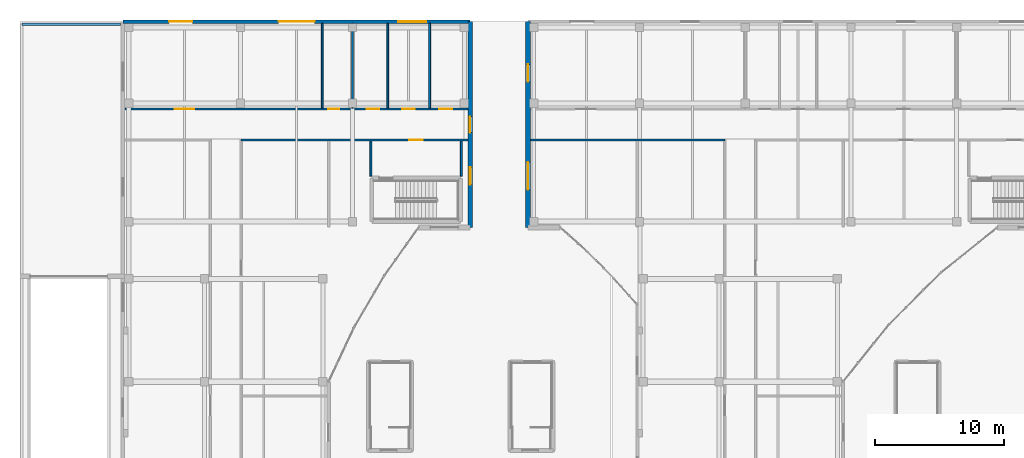
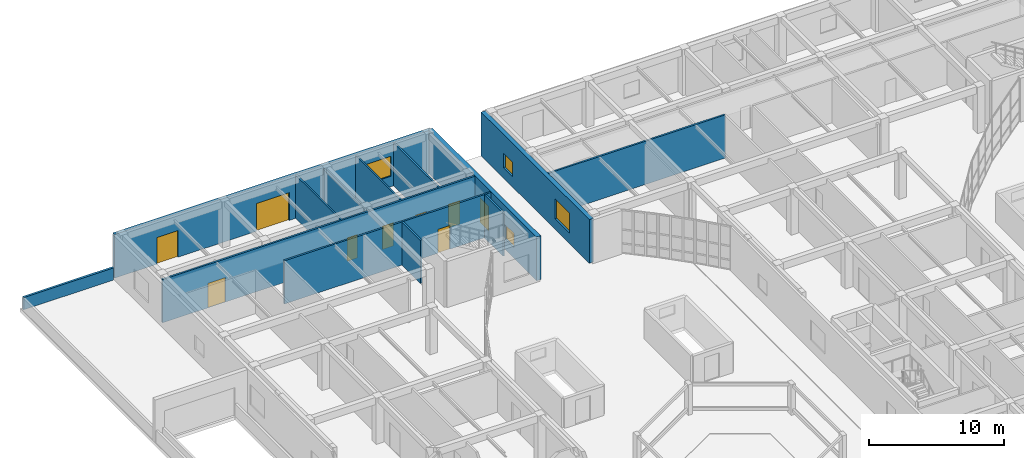
# One storey, part 82 of 114: 13 walls, 9 doors, 4 windows, 13 openings.
"""IFC4 building model written with IfcOpenShell, lengths in metres."""

from ifc_helpers import new_model, si_unit, direction, frame, frame_2d, origin, place, context, subcontext, project, spatial, rectangle, extrude, material, layer, layer_set, type_object, element, fill, save


model = new_model("IFC4")

# Units and contexts
model_context = context("Model", 3, precision=1e-05, world=origin(), true_north=direction((0.0, 1.0)))
body_context = subcontext(model_context, "Body", "Model", "MODEL_VIEW")
ifc_project = project(units=[si_unit("LENGTHUNIT", "METRE"), si_unit("AREAUNIT", "SQUARE_METRE"), si_unit("VOLUMEUNIT", "CUBIC_METRE"), si_unit("PLANEANGLEUNIT", "RADIAN"), si_unit("MASSUNIT", "GRAM", prefix="KILO")], contexts=[model_context])

# Site, building, storey
site_placement = place(None, origin())
site = spatial("IfcSite", under=ifc_project, at=site_placement, CompositionType="ELEMENT")
building_placement = place(site_placement, origin())
building = spatial("IfcBuilding", under=site, at=building_placement, Name="Keldmere Railside Commons", CompositionType="ELEMENT")
storey_placement = place(building_placement, origin())
storey = spatial("IfcBuildingStorey", under=building, at=storey_placement, Name="L00", CompositionType="ELEMENT", Elevation=0.0)

# Wall, opening, door
ifc_material_1 = material(Name="Acoustic Gypsum Board Partition", Category="gypsum")
ifc_layer_1 = layer(ifc_material_1, 0.159912109375, Name="Corridor Fire Partition 160")
ifc_layer_set_1 = layer_set([ifc_layer_1], Name="Acoustic Gypsum Board Partition")
wall_type_1 = type_object("IfcWallType", Name="Corridor Fire Partition 160", PredefinedType="PARTITIONING", material=ifc_layer_set_1)
wall_1_placement = place(storey_placement, frame((17.199951171875, 106.800048828125, 0.0), z_axis=(0.0, 0.0, 1.0), x_axis=(1.0, 0.0, 0.0)))
wall_1 = element("IfcWall", 1, at=wall_1_placement, inside=storey, type_object=wall_type_1, Name="IW-2 IW-L00-0186", PredefinedType="PARTITIONING", context=body_context, shape_type="SweptSolid", body=[
    extrude(rectangle(XDim=17.6201171875, YDim=0.159912109375, at=frame_2d((8.81005859375, 0.0))), origin(), (0.0, 0.0, 1.0), 3.89501953125),
])
opening_1_placement = place(wall_1_placement, frame((13.074951171875, 0.0, 0.0)))
opening_1 = element("IfcOpeningElement", 2, at=opening_1_placement, cuts=wall_1, Name="Opening FD-1", PredefinedType="OPENING", context=body_context, shape_type="SweptSolid", body=[
    extrude(rectangle(XDim=1.050048828125, YDim=2.14990234375, at=frame_2d((0.52490234375, 1.074951171875))), frame((0.0, 0.08984375, 0.0), z_axis=(0.0, -1.0, 0.0), x_axis=(1.0, 0.0, 0.0)), (0.0, 0.0, 1.0), 0.179931640625),
])
ifc_material_2 = material(Name="Steel F-24 (S235)", Category="steel")
door_type_1 = type_object("IfcDoorType", Name="Stair Core Fire Door 1050x2150", OperationType="NOTDEFINED", PredefinedType="DOOR", material=ifc_material_2)
door_1_placement = place(opening_1_placement, origin())
door_1 = element("IfcDoor", 3, at=door_1_placement, inside=storey, type_object=door_type_1, Name="FD-1 IDR-L00-0098", OperationType="SINGLE_SWING_RIGHT", OverallHeight=2.14990234375, OverallWidth=1.050048828125, PredefinedType="DOOR", context=body_context, shape_type="SweptSolid", body=[
    extrude(rectangle(XDim=1.050048828125, YDim=2.14990234375, at=frame_2d((0.52490234375, 1.074951171875))), frame((0.0, 0.02490234375, 0.0), z_axis=(0.0, -1.0, 0.0), x_axis=(1.0, 0.0, 0.0)), (0.0, 0.0, 1.0), 0.050048828125),
])
fill(opening_1, door_1)

# Wall, openings, doors
wall_2_placement = place(storey_placement, frame((8.179931640625, 109.199951171875, 0.0), z_axis=(0.0, 0.0, 1.0), x_axis=(1.0, 0.0, 0.0)))
wall_2 = element("IfcWall", 4, at=wall_2_placement, inside=storey, type_object=wall_type_1, Name="IW-2 IW-L00-0187", PredefinedType="PARTITIONING", context=body_context, shape_type="SweptSolid", body=[
    extrude(rectangle(XDim=26.64013671875, YDim=0.159912109375, at=frame_2d((13.320068359375, 0.0))), origin(), (0.0, 0.0, 1.0), 3.89501953125),
])
opening_2_placement = place(wall_2_placement, frame((3.8701171875, 0.0, 0.0)))
opening_2 = element("IfcOpeningElement", 5, at=opening_2_placement, cuts=wall_2, Name="Opening ID-07", PredefinedType="OPENING", context=body_context, shape_type="SweptSolid", body=[
    extrude(rectangle(XDim=1.5, YDim=2.199951171875, at=frame_2d((0.75, 1.10009765625))), frame((0.0, 0.08984375, 0.0), z_axis=(0.0, -1.0, 0.0), x_axis=(1.0, 0.0, 0.0)), (0.0, 0.0, 1.0), 0.179931640625),
])
opening_3_placement = place(wall_2_placement, frame((15.7900390625, 0.0, 0.0)))
opening_3 = element("IfcOpeningElement", 6, at=opening_3_placement, cuts=wall_2, Name="Opening ID-04", PredefinedType="OPENING", context=body_context, shape_type="SweptSolid", body=[
    extrude(rectangle(XDim=0.860107421875, YDim=2.10009765625, at=frame_2d((0.43017578125, 1.050048828125))), frame((0.0, 0.08984375, 0.0), z_axis=(0.0, -1.0, 0.0), x_axis=(1.0, 0.0, 0.0)), (0.0, 0.0, 1.0), 0.179931640625),
])
opening_4_placement = place(wall_2_placement, frame((18.800048828125, 0.0, 0.0)))
opening_4 = element("IfcOpeningElement", 7, at=opening_4_placement, cuts=wall_2, Name="Opening ID-05", PredefinedType="OPENING", context=body_context, shape_type="SweptSolid", body=[
    extrude(rectangle(XDim=0.93994140625, YDim=2.10009765625, at=frame_2d((0.469970703125, 1.050048828125))), frame((0.0, 0.08984375, 0.0), z_axis=(0.0, -1.0, 0.0), x_axis=(1.0, 0.0, 0.0)), (0.0, 0.0, 1.0), 0.179931640625),
])
opening_5_placement = place(wall_2_placement, frame((21.56005859375, 0.0, 0.0)))
opening_5 = element("IfcOpeningElement", 8, at=opening_5_placement, cuts=wall_2, Name="Opening ID-08", PredefinedType="OPENING", context=body_context, shape_type="SweptSolid", body=[
    extrude(rectangle(XDim=0.9599609375, YDim=2.14990234375, at=frame_2d((0.47998046875, 1.074951171875))), frame((0.0, 0.08984375, 0.0), z_axis=(0.0, -1.0, 0.0), x_axis=(1.0, 0.0, 0.0)), (0.0, 0.0, 1.0), 0.179931640625),
])
opening_6_placement = place(wall_2_placement, frame((24.419921875, 0.0, 0.0)))
opening_6 = element("IfcOpeningElement", 9, at=opening_6_placement, cuts=wall_2, Name="Opening FD-9", PredefinedType="OPENING", context=body_context, shape_type="SweptSolid", body=[
    extrude(rectangle(XDim=1.0, YDim=2.10009765625, at=frame_2d((0.5, 1.050048828125))), frame((0.0, 0.08984375, 0.0), z_axis=(0.0, -1.0, 0.0), x_axis=(1.0, 0.0, 0.0)), (0.0, 0.0, 1.0), 0.179931640625),
])
ifc_material_3 = material(Name="Engineered Oak Timber", Category="wood")
door_type_2 = type_object("IfcDoorType", Name="Accessible Bathroom Door 940x2100", OperationType="NOTDEFINED", PredefinedType="DOOR", material=ifc_material_3)
door_2_placement = place(opening_4_placement, origin())
door_2 = element("IfcDoor", 10, at=door_2_placement, inside=storey, type_object=door_type_2, Name="ID-05 IDR-L00-0111", OperationType="SINGLE_SWING_LEFT", OverallHeight=2.10009765625, OverallWidth=0.93994140625, PredefinedType="DOOR", context=body_context, shape_type="SweptSolid", body=[
    extrude(rectangle(XDim=0.93994140625, YDim=2.10009765625, at=frame_2d((0.469970703125, 1.050048828125))), frame((0.0, 0.02490234375, 0.0), z_axis=(0.0, -1.0, 0.0), x_axis=(1.0, 0.0, 0.0)), (0.0, 0.0, 1.0), 0.050048828125),
])
fill(opening_4, door_2)
door_type_3 = type_object("IfcDoorType", Name="Apartment Bathroom Door 860x2100", OperationType="NOTDEFINED", PredefinedType="DOOR", material=ifc_material_3)
door_3_placement = place(opening_3_placement, origin())
door_3 = element("IfcDoor", 11, at=door_3_placement, inside=storey, type_object=door_type_3, Name="ID-04 IDR-L00-0110", OperationType="SINGLE_SWING_RIGHT", OverallHeight=2.10009765625, OverallWidth=0.860107421875, PredefinedType="DOOR", context=body_context, shape_type="SweptSolid", body=[
    extrude(rectangle(XDim=0.860107421875, YDim=2.10009765625, at=frame_2d((0.43017578125, 1.050048828125))), frame((0.0, 0.02490234375, 0.0), z_axis=(0.0, -1.0, 0.0), x_axis=(1.0, 0.0, 0.0)), (0.0, 0.0, 1.0), 0.050048828125),
])
fill(opening_3, door_3)
door_type_4 = type_object("IfcDoorType", Name="Resident Lounge Double Door 1500x2200", OperationType="DOUBLE_DOOR_SINGLE_SWING", PredefinedType="DOOR", material=ifc_material_3)
door_4_placement = place(opening_2_placement, origin())
door_4 = element("IfcDoor", 12, at=door_4_placement, inside=storey, type_object=door_type_4, Name="ID-07 IDR-L00-0109", OperationType="DOUBLE_DOOR_SINGLE_SWING", OverallHeight=2.199951171875, OverallWidth=1.5, PredefinedType="DOOR", context=body_context, shape_type="SweptSolid", body=[
    extrude(rectangle(XDim=1.5, YDim=2.199951171875, at=frame_2d((0.75, 1.10009765625))), frame((0.0, 0.02490234375, 0.0), z_axis=(0.0, -1.0, 0.0), x_axis=(1.0, 0.0, 0.0)), (0.0, 0.0, 1.0), 0.050048828125),
])
fill(opening_2, door_4)
door_type_5 = type_object("IfcDoorType", Name="Study & Meeting Room Door 960x2150", OperationType="NOTDEFINED", PredefinedType="DOOR", material=ifc_material_3)
door_5_placement = place(opening_5_placement, origin())
door_5 = element("IfcDoor", 13, at=door_5_placement, inside=storey, type_object=door_type_5, Name="ID-08 IDR-L00-0112", OperationType="SINGLE_SWING_RIGHT", OverallHeight=2.14990234375, OverallWidth=0.9599609375, PredefinedType="DOOR", context=body_context, shape_type="SweptSolid", body=[
    extrude(rectangle(XDim=0.9599609375, YDim=2.14990234375, at=frame_2d((0.47998046875, 1.074951171875))), frame((0.0, 0.02490234375, 0.0), z_axis=(0.0, -1.0, 0.0), x_axis=(1.0, 0.0, 0.0)), (0.0, 0.0, 1.0), 0.050048828125),
])
fill(opening_5, door_5)
door_type_6 = type_object("IfcDoorType", Name="Waste & Storage Fire Door 1000x2100", OperationType="NOTDEFINED", PredefinedType="DOOR", material=ifc_material_2)
door_6_placement = place(opening_6_placement, origin())
door_6 = element("IfcDoor", 14, at=door_6_placement, inside=storey, type_object=door_type_6, Name="FD-9 IDR-L00-0113", OperationType="SINGLE_SWING_LEFT", OverallHeight=2.10009765625, OverallWidth=1.0, PredefinedType="DOOR", context=body_context, shape_type="SweptSolid", body=[
    extrude(rectangle(XDim=1.0, YDim=2.10009765625, at=frame_2d((0.5, 1.050048828125))), frame((0.0, 0.02490234375, 0.0), z_axis=(0.0, -1.0, 0.0), x_axis=(1.0, 0.0, 0.0)), (0.0, 0.0, 1.0), 0.050048828125),
])
fill(opening_6, door_6)

# Wall
wall_3_placement = place(storey_placement, frame((39.679931640625, 106.800048828125, 0.0), z_axis=(0.0, 0.0, 1.0), x_axis=(1.0, 0.0, 0.0)))
element("IfcWall", 15, at=wall_3_placement, inside=storey, type_object=wall_type_1, Name="IW-2 IW-L00-0488", PredefinedType="PARTITIONING", context=body_context, shape_type="SweptSolid", body=[
    extrude(rectangle(XDim=15.1201171875, YDim=0.159912109375, at=frame_2d((7.56005859375, 0.0))), origin(), (0.0, 0.0, 1.0), 3.89501953125),
])

# Wall, openings, window, door
ifc_material_4 = material(Name="Concrete H-35 (C35/45)", Category="concrete")
ifc_layer_2 = layer(ifc_material_4, 0.360107421875, Name="Exterior Shear Wall 360")
ifc_layer_set_2 = layer_set([ifc_layer_2], Name="Concrete H-35 (C35/45)")
wall_type_2 = type_object("IfcWallType", Name="Exterior Shear Wall 360", PredefinedType="SHEAR", material=ifc_layer_set_2)
wall_4_placement = place(storey_placement, frame((35.0, 116.0, 0.0), z_axis=(0.0, 0.0, 1.0), x_axis=(0.0, -1.0, 0.0)))
wall_4 = element("IfcWall", 16, at=wall_4_placement, inside=storey, type_object=wall_type_2, Name="ESW-1 EXTD-L00-0126", PredefinedType="SHEAR", context=body_context, shape_type="SweptSolid", body=[
    extrude(rectangle(XDim=16.0, YDim=0.360107421875, at=frame_2d((8.0, 0.0))), origin(), (0.0, 0.0, 1.0), 3.93994140625),
])
opening_7_placement = place(wall_4_placement, frame((7.375, 0.0, 0.0)))
opening_7 = element("IfcOpeningElement", 17, at=opening_7_placement, cuts=wall_4, Name="Opening ED-02", PredefinedType="OPENING", context=body_context, shape_type="SweptSolid", body=[
    extrude(rectangle(XDim=1.25, YDim=2.199951171875, at=frame_2d((0.625, 1.10009765625))), frame((0.0, 0.18994140625, 0.0), z_axis=(0.0, -1.0, 0.0), x_axis=(1.0, 0.0, 0.0)), (0.0, 0.0, 1.0), 0.380126953125),
])
opening_8_placement = place(wall_4_placement, frame((11.324951171875, 0.0, 0.949951171875)))
opening_8 = element("IfcOpeningElement", 18, at=opening_8_placement, cuts=wall_4, Name="Opening WN-25", PredefinedType="OPENING", context=body_context, shape_type="SweptSolid", body=[
    extrude(rectangle(XDim=1.35009765625, YDim=1.300048828125, at=frame_2d((0.675048828125, 0.64990234375))), frame((0.0, 0.18994140625, 0.0), z_axis=(0.0, -1.0, 0.0), x_axis=(1.0, 0.0, 0.0)), (0.0, 0.0, 1.0), 0.380126953125),
])
ifc_material_5 = material(Name="Low-E Insulated Double Glazing", Category="glass")
window_type_1 = type_object("IfcWindowType", Name="Podium Laundry & Mailroom Window 1350x1300", PartitioningType="SINGLE_PANEL", PredefinedType="WINDOW", material=ifc_material_5)
window_1_placement = place(opening_8_placement, origin())
window_1 = element("IfcWindow", 19, at=window_1_placement, inside=storey, type_object=window_type_1, Name="WN-25 WIN-L00-0019", OverallHeight=1.300048828125, OverallWidth=1.35009765625, PartitioningType="SINGLE_PANEL", PredefinedType="WINDOW", context=body_context, shape_type="SweptSolid", body=[
    extrude(rectangle(XDim=1.35009765625, YDim=1.300048828125, at=frame_2d((0.675048828125, 0.64990234375))), frame((0.0, 0.030029296875, 0.0), z_axis=(0.0, -1.0, 0.0), x_axis=(1.0, 0.0, 0.0)), (0.0, 0.0, 1.0), 0.06005859375),
])
fill(opening_8, window_1)
door_type_7 = type_object("IfcDoorType", Name="Stair Final Escape Exit Door 1250x2200", OperationType="NOTDEFINED", PredefinedType="DOOR", material=ifc_material_2)
door_7_placement = place(opening_7_placement, origin())
door_7 = element("IfcDoor", 20, at=door_7_placement, inside=storey, type_object=door_type_7, Name="ED-02 DR-L00-0004", OperationType="SINGLE_SWING_LEFT", OverallHeight=2.199951171875, OverallWidth=1.25, PredefinedType="DOOR", context=body_context, shape_type="SweptSolid", body=[
    extrude(rectangle(XDim=1.25, YDim=2.199951171875, at=frame_2d((0.625, 1.10009765625))), frame((0.0, 0.02490234375, 0.0), z_axis=(0.0, -1.0, 0.0), x_axis=(1.0, 0.0, 0.0)), (0.0, 0.0, 1.0), 0.050048828125),
])
fill(opening_7, door_7)

# Wall, openings, windows
wall_5_placement = place(storey_placement, frame((39.5, 100.0, 0.0), z_axis=(0.0, 0.0, 1.0), x_axis=(0.0, 1.0, 0.0)))
wall_5 = element("IfcWall", 21, at=wall_5_placement, inside=storey, type_object=wall_type_2, Name="ESW-1 EXTC-L00-0323", PredefinedType="SHEAR", context=body_context, shape_type="SweptSolid", body=[
    extrude(rectangle(XDim=16.0, YDim=0.360107421875, at=frame_2d((8.0, 0.0))), origin(), (0.0, 0.0, 1.0), 3.93994140625),
])
opening_9_placement = place(wall_5_placement, frame((2.925048828125, 0.0, 0.949951171875)))
opening_9 = element("IfcOpeningElement", 22, at=opening_9_placement, cuts=wall_5, Name="Opening WN-41", PredefinedType="OPENING", context=body_context, shape_type="SweptSolid", body=[
    extrude(rectangle(XDim=2.14990234375, YDim=1.800048828125, at=frame_2d((1.074951171875, 0.89990234375))), frame((0.0, 0.18994140625, 0.0), z_axis=(0.0, -1.0, 0.0), x_axis=(1.0, 0.0, 0.0)), (0.0, 0.0, 1.0), 0.380126953125),
])
opening_10_placement = place(wall_5_placement, frame((11.324951171875, 0.0, 0.949951171875)))
opening_10 = element("IfcOpeningElement", 23, at=opening_10_placement, cuts=wall_5, Name="Opening WN-25", PredefinedType="OPENING", context=body_context, shape_type="SweptSolid", body=[
    extrude(rectangle(XDim=1.35009765625, YDim=1.300048828125, at=frame_2d((0.675048828125, 0.64990234375))), frame((0.0, 0.18994140625, 0.0), z_axis=(0.0, -1.0, 0.0), x_axis=(1.0, 0.0, 0.0)), (0.0, 0.0, 1.0), 0.380126953125),
])
window_type_2 = type_object("IfcWindowType", Name="North Plinth Gallery Window 2150x1800", PartitioningType="SINGLE_PANEL", PredefinedType="WINDOW", material=ifc_material_5)
window_2_placement = place(opening_9_placement, origin())
window_2 = element("IfcWindow", 24, at=window_2_placement, inside=storey, type_object=window_type_2, Name="WN-41 WIN-L00-0165", OverallHeight=1.800048828125, OverallWidth=2.14990234375, PartitioningType="SINGLE_PANEL", PredefinedType="WINDOW", context=body_context, shape_type="SweptSolid", body=[
    extrude(rectangle(XDim=2.14990234375, YDim=1.800048828125, at=frame_2d((1.074951171875, 0.89990234375))), frame((0.0, 0.030029296875, 0.0), z_axis=(0.0, -1.0, 0.0), x_axis=(1.0, 0.0, 0.0)), (0.0, 0.0, 1.0), 0.06005859375),
])
fill(opening_9, window_2)
window_3_placement = place(opening_10_placement, origin())
window_3 = element("IfcWindow", 25, at=window_3_placement, inside=storey, type_object=window_type_1, Name="WN-25 WIN-L00-0166", OverallHeight=1.300048828125, OverallWidth=1.35009765625, PartitioningType="SINGLE_PANEL", PredefinedType="WINDOW", context=body_context, shape_type="SweptSolid", body=[
    extrude(rectangle(XDim=1.35009765625, YDim=1.300048828125, at=frame_2d((0.675048828125, 0.64990234375))), frame((0.0, 0.030029296875, 0.0), z_axis=(0.0, -1.0, 0.0), x_axis=(1.0, 0.0, 0.0)), (0.0, 0.0, 1.0), 0.06005859375),
])
fill(opening_10, window_3)

# Walls
ifc_layer_3 = layer(ifc_material_1, 0.14990234375, Name="Lobby Rated Partition 150")
ifc_layer_set_3 = layer_set([ifc_layer_3], Name="Acoustic Gypsum Board Partition")
wall_type_3 = type_object("IfcWallType", Name="Lobby Rated Partition 150", PredefinedType="PARTITIONING", material=ifc_layer_set_3)
for number, where, z_axis, x_axis, name in (
    (26, (27.280029296875, 103.989990234375, 0.0), (0.0, 0.0, 1.0), (0.0, 1.0, 0.0), "IW-3 IW-L00-0189"),
    (27, (34.320068359375, 103.989990234375, 0.0), (0.0, 0.0, 1.0), (0.0, 1.0, 0.0), "IW-3 IW-L00-0190"),
):
    element("IfcWall", number, at=place(storey_placement, frame(where, z_axis=z_axis, x_axis=x_axis)), inside=storey, type_object=wall_type_3, Name=name, PredefinedType="PARTITIONING", context=body_context, shape_type="SweptSolid", body=[
        extrude(rectangle(XDim=2.72998046875, YDim=0.14990234375, at=frame_2d((1.364990234375, 0.0))), origin(), (0.0, 0.0, 1.0), 3.89501953125),
    ])
ifc_material_6 = material(Name="Architectural Precast Concrete H-35 (C35/45)", Category="concrete")
ifc_layer_4 = layer(ifc_material_6, 0.18994140625, Name="Roof Parapet Wall 190")
ifc_layer_set_4 = layer_set([ifc_layer_4], Name="Architectural Precast Concrete H-35 (C35/45)")
wall_type_4 = type_object("IfcWallType", Name="Roof Parapet Wall 190", PredefinedType="PARAPET", material=ifc_layer_set_4)
wall_6_placement = place(storey_placement, frame((0.14990234375, 115.800048828125, 0.0), z_axis=(0.0, 0.0, 1.0), x_axis=(1.0, 0.0, 0.0)))
element("IfcWall", 28, at=wall_6_placement, inside=storey, type_object=wall_type_4, Name="PW-1 PLP-L00-0013", PredefinedType="PARAPET", context=body_context, shape_type="SweptSolid", body=[
    extrude(rectangle(XDim=7.650146484375, YDim=0.18994140625, at=frame_2d((3.8251953125, 0.0))), origin(), (0.0, 0.0, 1.0), 1.10009765625),
])

# Wall, openings, window, doors
ifc_material_7 = material(Name="Terracotta Brick Masonry", Category="masonry")
ifc_layer_5 = layer(ifc_material_7, 0.260009765625, Name="Terracotta Cavity Wall 260")
ifc_layer_set_5 = layer_set([ifc_layer_5], Name="Terracotta Brick Masonry")
wall_type_5 = type_object("IfcWallType", Name="Terracotta Cavity Wall 260", PredefinedType="SOLIDWALL", material=ifc_layer_set_5)
wall_7_placement = place(storey_placement, frame((8.0, 116.0, 0.0), z_axis=(0.0, 0.0, 1.0), x_axis=(1.0, 0.0, 0.0)))
wall_7 = element("IfcWall", 29, at=wall_7_placement, inside=storey, type_object=wall_type_5, Name="EW-1 EXTD-L00-0127", PredefinedType="SOLIDWALL", context=body_context, shape_type="SweptSolid", body=[
    extrude(rectangle(XDim=27.0, YDim=0.260009765625, at=frame_2d((13.5, 0.0))), origin(), (0.0, 0.0, 1.0), 3.93994140625),
])
opening_11_placement = place(wall_7_placement, frame((3.60009765625, 0.0, 0.0)))
opening_11 = element("IfcOpeningElement", 30, at=opening_11_placement, cuts=wall_7, Name="Opening ED-01", PredefinedType="OPENING", context=body_context, shape_type="SweptSolid", body=[
    extrude(rectangle(XDim=1.800048828125, YDim=2.39990234375, at=frame_2d((0.89990234375, 1.199951171875))), frame((0.0, 0.139892578125, 0.0), z_axis=(0.0, -1.0, 0.0), x_axis=(1.0, 0.0, 0.0)), (0.0, 0.0, 1.0), 0.280029296875),
])
opening_12_placement = place(wall_7_placement, frame((12.10009765625, 0.0, 0.0)))
opening_12 = element("IfcOpeningElement", 31, at=opening_12_placement, cuts=wall_7, Name="Opening VG-3", PredefinedType="OPENING", context=body_context, shape_type="SweptSolid", body=[
    extrude(rectangle(XDim=2.800048828125, YDim=2.5, at=frame_2d((1.39990234375, 1.25))), frame((0.0, 0.139892578125, 0.0), z_axis=(0.0, -1.0, 0.0), x_axis=(1.0, 0.0, 0.0)), (0.0, 0.0, 1.0), 0.280029296875),
])
opening_13_placement = place(wall_7_placement, frame((21.425048828125, 0.0, 0.949951171875)))
opening_13 = element("IfcOpeningElement", 32, at=opening_13_placement, cuts=wall_7, Name="Opening WN-41", PredefinedType="OPENING", context=body_context, shape_type="SweptSolid", body=[
    extrude(rectangle(XDim=2.14990234375, YDim=1.800048828125, at=frame_2d((1.074951171875, 0.89990234375))), frame((0.0, 0.139892578125, 0.0), z_axis=(0.0, -1.0, 0.0), x_axis=(1.0, 0.0, 0.0)), (0.0, 0.0, 1.0), 0.280029296875),
])
window_4_placement = place(opening_13_placement, origin())
window_4 = element("IfcWindow", 33, at=window_4_placement, inside=storey, type_object=window_type_2, Name="WN-41 WIN-L00-0020", OverallHeight=1.800048828125, OverallWidth=2.14990234375, PartitioningType="SINGLE_PANEL", PredefinedType="WINDOW", context=body_context, shape_type="SweptSolid", body=[
    extrude(rectangle(XDim=2.14990234375, YDim=1.800048828125, at=frame_2d((1.074951171875, 0.89990234375))), frame((0.0, 0.030029296875, 0.0), z_axis=(0.0, -1.0, 0.0), x_axis=(1.0, 0.0, 0.0)), (0.0, 0.0, 1.0), 0.06005859375),
])
fill(opening_13, window_4)
ifc_material_8 = material(Name="Thermally Broken Aluminium", Category="aluminium")
door_type_8 = type_object("IfcDoorType", Name="Residential Main Entrance Double Door 1800x2400", OperationType="DOUBLE_DOOR_SINGLE_SWING", PredefinedType="DOOR", material=ifc_material_8)
door_8_placement = place(opening_11_placement, origin())
door_8 = element("IfcDoor", 34, at=door_8_placement, inside=storey, type_object=door_type_8, Name="ED-01 DR-L00-0005", OperationType="DOUBLE_DOOR_SINGLE_SWING", OverallHeight=2.39990234375, OverallWidth=1.800048828125, PredefinedType="DOOR", context=body_context, shape_type="SweptSolid", body=[
    extrude(rectangle(XDim=1.800048828125, YDim=2.39990234375, at=frame_2d((0.89990234375, 1.199951171875))), frame((0.0, 0.02490234375, 0.0), z_axis=(0.0, -1.0, 0.0), x_axis=(1.0, 0.0, 0.0)), (0.0, 0.0, 1.0), 0.050048828125),
])
fill(opening_11, door_8)
door_type_9 = type_object("IfcDoorType", Name="Service & Waste Collection Shutter Gate 2800x2500", OperationType="ROLLINGUP", PredefinedType="GATE", material=ifc_material_2)
door_9_placement = place(opening_12_placement, origin())
door_9 = element("IfcDoor", 35, at=door_9_placement, inside=storey, type_object=door_type_9, Name="VG-3 DR-L00-0006", OperationType="ROLLINGUP", OverallHeight=2.5, OverallWidth=2.800048828125, PredefinedType="GATE", context=body_context, shape_type="SweptSolid", body=[
    extrude(rectangle(XDim=2.800048828125, YDim=2.5, at=frame_2d((1.39990234375, 1.25))), frame((0.0, 0.02490234375, 0.0), z_axis=(0.0, -1.0, 0.0), x_axis=(1.0, 0.0, 0.0)), (0.0, 0.0, 1.0), 0.050048828125),
])
fill(opening_12, door_9)

# Walls
ifc_layer_6 = layer(ifc_material_1, 0.139892578125, Name="Wet-Room Sanitary Partition 140")
ifc_layer_set_6 = layer_set([ifc_layer_6], Name="Acoustic Gypsum Board Partition")
wall_type_6 = type_object("IfcWallType", Name="Wet-Room Sanitary Partition 140", PredefinedType="PARTITIONING", material=ifc_layer_set_6)
wall_8_placement = place(storey_placement, frame((23.5, 109.280029296875, 0.0), z_axis=(0.0, 0.0, 1.0), x_axis=(0.0, 1.0, 0.0)))
element("IfcWall", 36, at=wall_8_placement, inside=storey, type_object=wall_type_6, Name="IW-5 IW-L00-0195", PredefinedType="PARTITIONING", context=body_context, shape_type="SweptSolid", body=[
    extrude(rectangle(XDim=6.590087890625, YDim=0.139892578125, at=frame_2d((3.294921875, 0.0))), origin(), (0.0, 0.0, 1.0), 3.89501953125),
])
wall_9_placement = place(storey_placement, frame((25.85009765625, 109.280029296875, 0.0), z_axis=(0.0, 0.0, 1.0), x_axis=(0.0, 1.0, 0.0)))
element("IfcWall", 37, at=wall_9_placement, inside=storey, type_object=wall_type_6, Name="IW-5 IW-L00-0196", PredefinedType="PARTITIONING", context=body_context, shape_type="SweptSolid", body=[
    extrude(rectangle(XDim=6.590087890625, YDim=0.139892578125, at=frame_2d((3.294921875, 0.0))), origin(), (0.0, 0.0, 1.0), 3.639892578125),
])
for number, where, z_axis, x_axis, name in (
    (38, (28.60009765625, 109.280029296875, 0.0), (0.0, 0.0, 1.0), (0.0, 1.0, 0.0), "IW-5 IW-L00-0197"),
    (39, (31.85009765625, 109.280029296875, 0.0), (0.0, 0.0, 1.0), (0.0, 1.0, 0.0), "IW-5 IW-L00-0198"),
):
    element("IfcWall", number, at=place(storey_placement, frame(where, z_axis=z_axis, x_axis=x_axis)), inside=storey, type_object=wall_type_6, Name=name, PredefinedType="PARTITIONING", context=body_context, shape_type="SweptSolid", body=[
        extrude(rectangle(XDim=6.590087890625, YDim=0.139892578125, at=frame_2d((3.294921875, 0.0))), origin(), (0.0, 0.0, 1.0), 3.89501953125),
    ])

save(model, "model.ifc")
